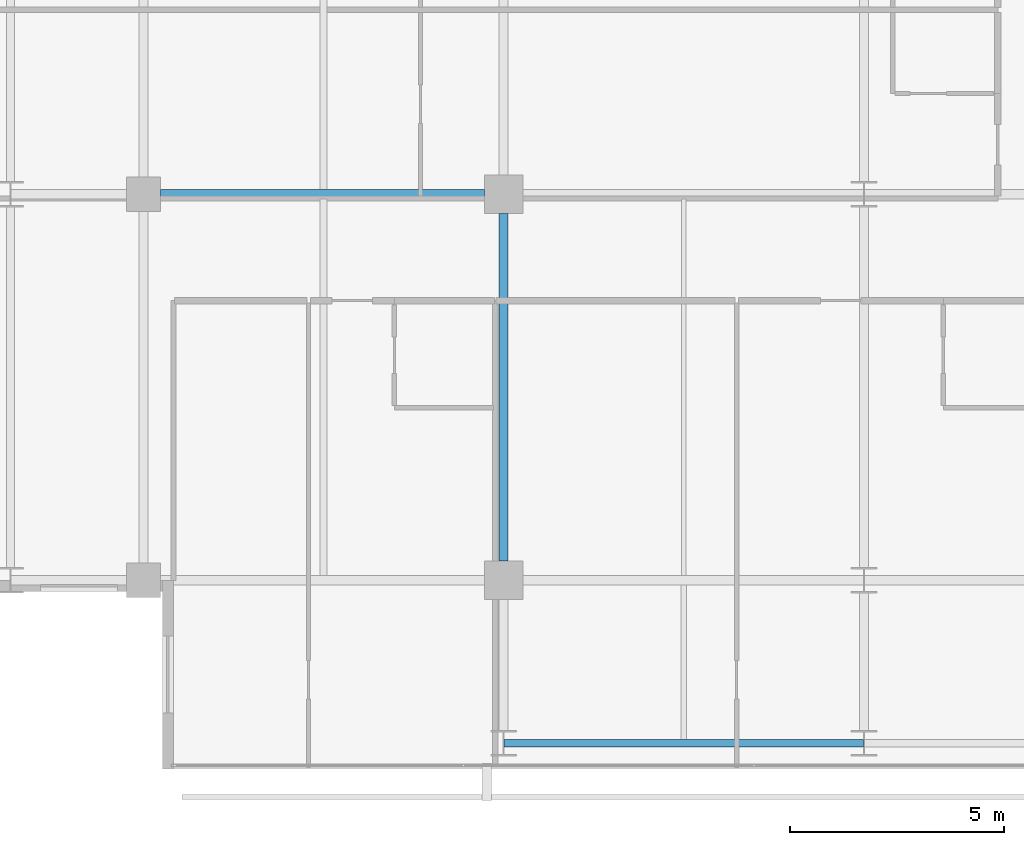
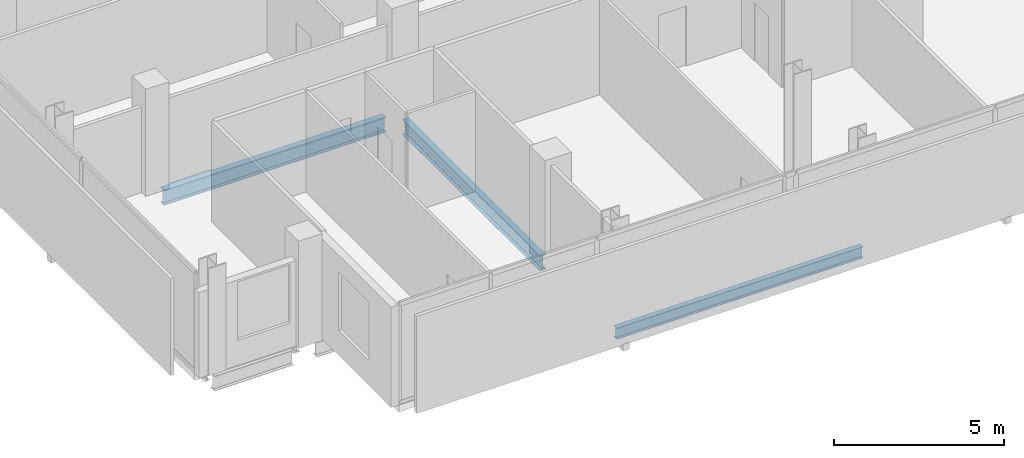
# One storey, part 5 of 34: 3 beams.
"""IFC4 building model written with IfcOpenShell, lengths in metres."""

from ifc_helpers import new_model, si_unit, direction, frame, origin, origin_2d, place, context, subcontext, project, spatial, i_section, extrude, material, material_profile, profile_set, type_object, element, save


model = new_model("IFC4")

# Units and contexts
model_context = context("Model", 3, precision=1e-05, world=origin(), true_north=direction((0.0, 1.0)))
body_context = subcontext(model_context, "Body", "Model", "MODEL_VIEW")
ifc_project = project(units=[si_unit("LENGTHUNIT", "METRE"), si_unit("AREAUNIT", "SQUARE_METRE"), si_unit("VOLUMEUNIT", "CUBIC_METRE"), si_unit("PLANEANGLEUNIT", "RADIAN"), si_unit("MASSUNIT", "GRAM", prefix="KILO")], contexts=[model_context])

# Site, building, storey
site_placement = place(None, origin())
site = spatial("IfcSite", under=ifc_project, at=site_placement, CompositionType="ELEMENT")
building_placement = place(site_placement, origin())
building = spatial("IfcBuilding", under=site, at=building_placement, Name="Maruvema Waterfront Hotel and Observation Tower", CompositionType="ELEMENT")
storey_placement = place(building_placement, frame((0.0, 0.0, 215.949951171875)))
storey = spatial("IfcBuildingStorey", under=building, at=storey_placement, Name="L53", CompositionType="ELEMENT", Elevation=215.949951171875)

# Beams
ifc_material_1 = material(Name="Steel ASTM A572 Grade 50", Category="steel")
ifc_material_profile_1 = material_profile(ifc_material_1, i_section(OverallWidth=0.178955078125, OverallDepth=0.409912109375, WebThickness=0.0087890625, FlangeThickness=0.014404296875, FilletRadius=0.014892578125, at=origin_2d()), Name="W410x67.0")
ifc_profile_set_1 = profile_set([ifc_material_profile_1], Name="Steel ASTM A572 Grade 50")
beam_type_1 = type_object("IfcBeamType", Name="Perimeter Spandrel Beam W410x67.0", PredefinedType="SPANDREL", material=ifc_profile_set_1)
beam_1_placement = place(storey_placement, frame((25.21240234375, 5.199951171875, -0.445068359375), z_axis=(1.0, 0.0, 0.0), x_axis=(0.0, 1.0, 0.0)))
element("IfcBeam", 1, at=beam_1_placement, inside=storey, type_object=beam_type_1, Name="L53 Floor Girder EW-01", PredefinedType="SPANDREL", context=body_context, shape_type="SweptSolid", body=[
    extrude(i_section(OverallWidth=0.178955078125, OverallDepth=0.409912109375, WebThickness=0.0087890625, FlangeThickness=0.014404296875, FilletRadius=0.014892578125, at=origin_2d()), origin(), (0.0, 0.0, 1.0), 8.375),
])
ifc_material_2 = material(Name="Steel ASTM A572 Grade 50", Category="steel")
ifc_material_profile_2 = material_profile(ifc_material_2, i_section(OverallWidth=0.2109375, OverallDepth=0.5390625, WebThickness=0.01171875, FlangeThickness=0.018798828125, FilletRadius=0.014892578125, at=origin_2d()), Name="W530x109.0")
ifc_profile_set_2 = profile_set([ifc_material_profile_2], Name="Steel ASTM A572 Grade 50")
beam_type_2 = type_object("IfcBeamType", Name="Primary Floor Girder W530x109.0", PredefinedType="BEAM", material=ifc_profile_set_2)
beam_2_placement = place(storey_placement, frame((17.199951171875, 18.0, -0.509521484375), z_axis=(1.0, 0.0, 0.0), x_axis=(0.0, 1.0, 0.0)))
element("IfcBeam", 2, at=beam_2_placement, inside=storey, type_object=beam_type_2, Name="L53 Floor Girder EW-12", PredefinedType="BEAM", context=body_context, shape_type="SweptSolid", body=[
    extrude(i_section(OverallWidth=0.2109375, OverallDepth=0.5390625, WebThickness=0.01171875, FlangeThickness=0.018798828125, FilletRadius=0.014892578125, at=origin_2d()), origin(), (0.0, 0.0, 1.0), 7.550048828125),
])
beam_3_placement = place(storey_placement, frame((25.199951171875, 9.449951171875, -0.509521484375), z_axis=(0.0, 1.0, 0.0), x_axis=(-1.0, 0.0, 0.0)))
element("IfcBeam", 3, at=beam_3_placement, inside=storey, type_object=beam_type_2, Name="L53 Floor Girder NS-10", PredefinedType="BEAM", context=body_context, shape_type="SweptSolid", body=[
    extrude(i_section(OverallWidth=0.2109375, OverallDepth=0.5390625, WebThickness=0.01171875, FlangeThickness=0.018798828125, FilletRadius=0.014892578125, at=origin_2d()), origin(), (0.0, 0.0, 1.0), 8.10009765625),
])

save(model, "model.ifc")
